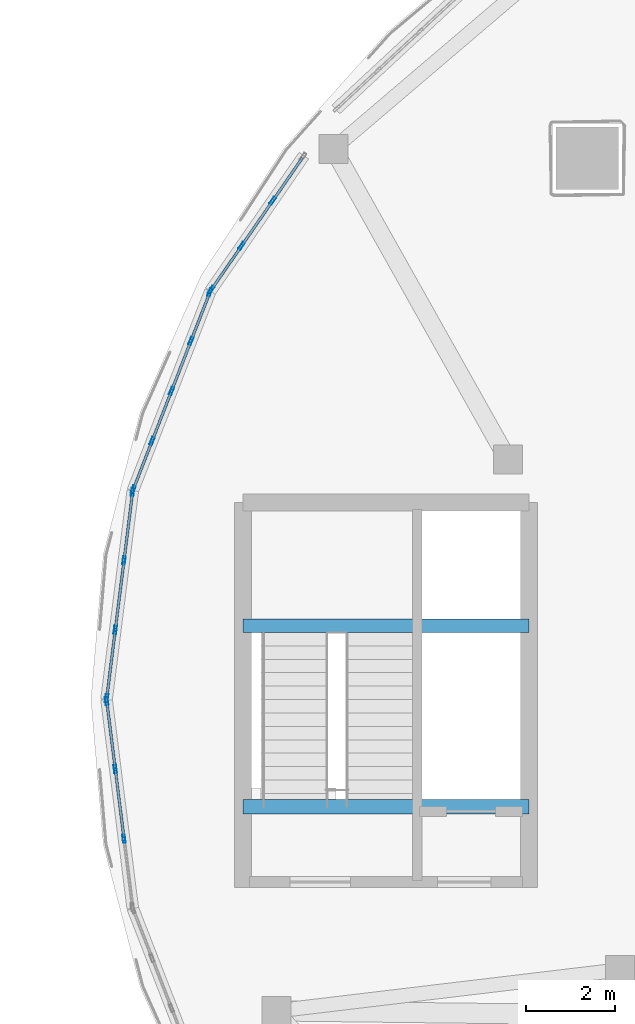
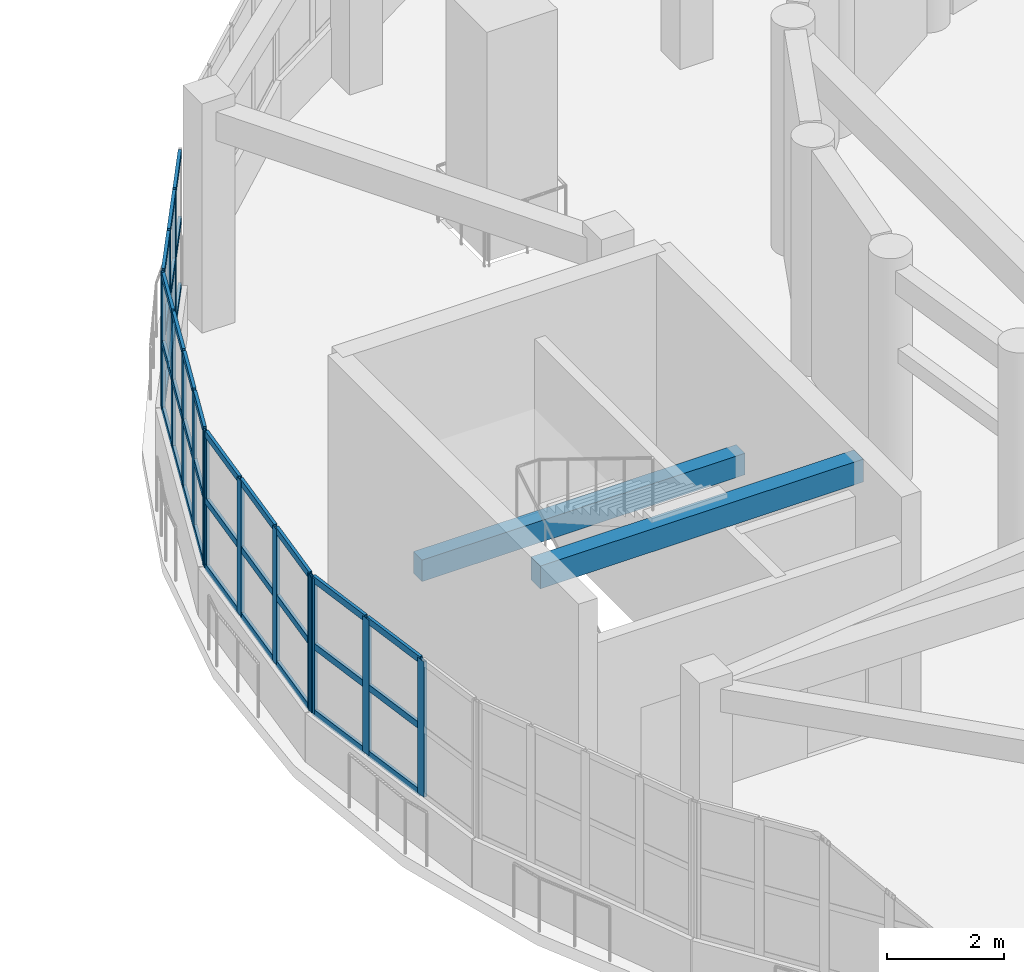
# One storey, part 47 of 105: 51 members, 2 beams, 4 elements without a shape of their own.
"""IFC4 building model written with IfcOpenShell, lengths in metres."""

from ifc_helpers import new_model, si_unit, direction, frame, origin, origin_2d, place, context, subcontext, project, spatial, rectangle, hollow_rectangle, extrude, material, layer, layer_set, material_profile, profile_set, type_object, element, aggregate, save


model = new_model("IFC4")

# Units and contexts
model_context = context("Model", 3, precision=1e-05, world=origin(), true_north=direction((0.0, 1.0)))
body_context = subcontext(model_context, "Body", "Model", "MODEL_VIEW")
ifc_project = project(units=[si_unit("LENGTHUNIT", "METRE"), si_unit("AREAUNIT", "SQUARE_METRE"), si_unit("VOLUMEUNIT", "CUBIC_METRE"), si_unit("PLANEANGLEUNIT", "RADIAN"), si_unit("MASSUNIT", "GRAM", prefix="KILO")], contexts=[model_context])

# Site, building, storey
site_placement = place(None, origin())
site = spatial("IfcSite", under=ifc_project, at=site_placement, CompositionType="ELEMENT")
building_placement = place(site_placement, origin())
building = spatial("IfcBuilding", under=site, at=building_placement, Name="Pelvatis Terrace Science Centre", CompositionType="ELEMENT")
storey_placement = place(building_placement, frame((0.0, 0.0, 10.199951171875)))
storey = spatial("IfcBuildingStorey", under=building, at=storey_placement, Name="L02", CompositionType="ELEMENT", Elevation=10.199951171875)

# Beams
ifc_material_1 = material(Name="Concrete C35/45", Category="concrete")
ifc_material_profile_1 = material_profile(ifc_material_1, rectangle(XDim=0.300048828125, YDim=0.449951171875, at=origin_2d()), Name="RC-BM 300x450")
ifc_profile_set_1 = profile_set([ifc_material_profile_1], Name="Concrete C35/45")
beam_type_1 = type_object("IfcBeamType", Name="BM-RC-300x450", PredefinedType="BEAM", material=ifc_profile_set_1)
beam_1_placement = place(storey_placement, frame((86.800048828125, 85.050048828125, 1.97509765625), z_axis=(1.0, 0.0, 0.0), x_axis=(0.0, 1.0, 0.0)))
element("IfcBeam", 1, at=beam_1_placement, inside=storey, type_object=beam_type_1, Name="Core C1 half-landing beam (L02)", PredefinedType="BEAM", context=body_context, shape_type="SweptSolid", body=[
    extrude(rectangle(XDim=0.300048828125, YDim=0.449951171875, at=origin_2d()), origin(), (0.0, 0.0, 1.0), 6.39990234375),
])
ifc_material_2 = material(Name="Concrete C35/45", Category="concrete")
ifc_material_profile_2 = material_profile(ifc_material_2, rectangle(XDim=0.320068359375, YDim=0.47998046875, at=origin_2d()), Name="RC-BM 320x480")
ifc_profile_set_2 = profile_set([ifc_material_profile_2], Name="Concrete C35/45")
beam_type_2 = type_object("IfcBeamType", Name="BM-RC-320x480", PredefinedType="BEAM", material=ifc_profile_set_2)
beam_2_placement = place(storey_placement, frame((86.800048828125, 81.0, 4.300048828125), z_axis=(1.0, 0.0, 0.0), x_axis=(0.0, 1.0, 0.0)))
element("IfcBeam", 2, at=beam_2_placement, inside=storey, type_object=beam_type_2, Name="Core C1 stair header beam (L02)", PredefinedType="BEAM", context=body_context, shape_type="SweptSolid", body=[
    extrude(rectangle(XDim=0.320068359375, YDim=0.47998046875, at=origin_2d()), origin(), (0.0, 0.0, 1.0), 6.39990234375),
])

# Curtain wall, members
ifc_material_3 = material(Name="Bronze-anodised aluminium and laminated glass", Category="aluminium")
ifc_layer = layer(ifc_material_3, 0.179931640625)
ifc_layer_set = layer_set([ifc_layer], Name="Bronze-anodised aluminium and laminated glass")
curtain_wall_type = type_object("IfcCurtainWallType", Name="CW-RIBBON-A", PredefinedType="NOTDEFINED", material=ifc_layer_set)
curtain_wall_1_placement = place(storey_placement, origin())
curtain_wall_1 = element("IfcCurtainWall", 3, at=curtain_wall_1_placement, inside=storey, type_object=curtain_wall_type, Name="Ribbon curtain wall CW-166 (L02)", PredefinedType="NOTDEFINED")
ifc_material_4 = material(Name="Bronze-anodised aluminium 6063-T6", Category="aluminium")
ifc_material_profile_3 = material_profile(ifc_material_4, hollow_rectangle(XDim=0.06005859375, YDim=0.179931640625, WallThickness=0.00390625, at=origin_2d()), Name="ALU-MUL 60x180")
ifc_profile_set_3 = profile_set([ifc_material_profile_3], Name="Bronze-anodised aluminium 6063-T6")
member_type_1 = type_object("IfcMemberType", Name="CWM-60x180", PredefinedType="MULLION", material=ifc_profile_set_3)
member_1_placement = place(storey_placement, frame((87.46484375, 94.549560546875, 1.02001953125), z_axis=(0.0, 0.0, 1.0), x_axis=(0.822890243448, -0.568200358358, 0.0)))
member_1 = element("IfcMember", 4, at=member_1_placement, type_object=member_type_1, Name="CW-166 mullion 2", PredefinedType="MULLION", context=body_context, shape_type="SweptSolid", body=[
    extrude(hollow_rectangle(XDim=0.06005859375, YDim=0.179931640625, WallThickness=0.00390625, at=origin_2d()), origin(), (0.0, 0.0, 1.0), 2.840087890625),
])
member_2_placement = place(storey_placement, frame((86.76806640625, 93.540283203125, 1.02001953125), z_axis=(0.0, 0.0, 1.0), x_axis=(0.822890243448, -0.568200358358, 0.0)))
member_2 = element("IfcMember", 5, at=member_2_placement, type_object=member_type_1, Name="CW-166 mullion 3", PredefinedType="MULLION", context=body_context, shape_type="SweptSolid", body=[
    extrude(hollow_rectangle(XDim=0.06005859375, YDim=0.179931640625, WallThickness=0.00390625, at=origin_2d()), origin(), (0.0, 0.0, 1.0), 2.840087890625),
])
member_3_placement = place(storey_placement, frame((86.08837890625, 92.555908203125, 1.02001953125), z_axis=(0.0, 0.0, 1.0), x_axis=(0.822890243448, -0.568200358358, 0.0)))
member_3 = element("IfcMember", 6, at=member_3_placement, type_object=member_type_1, Name="CW-166 mullion 4", PredefinedType="MULLION", context=body_context, shape_type="SweptSolid", body=[
    extrude(hollow_rectangle(XDim=0.06005859375, YDim=0.179931640625, WallThickness=0.00390625, at=origin_2d()), origin(), (0.0, 0.0, 1.0), 2.840087890625),
])

curtain_wall_2_placement = place(storey_placement, origin())
curtain_wall_2 = element("IfcCurtainWall", 7, at=curtain_wall_2_placement, inside=storey, type_object=curtain_wall_type, Name="Ribbon curtain wall CW-167 (L02)", PredefinedType="NOTDEFINED")
member_4_placement = place(storey_placement, frame((86.060546875, 92.503173828125, 1.02001953125), z_axis=(0.0, 0.0, 1.0), x_axis=(0.932092427313, -0.362220522536, 0.0)))
member_4 = element("IfcMember", 8, at=member_4_placement, type_object=member_type_1, Name="CW-167 mullion 1", PredefinedType="MULLION", context=body_context, shape_type="SweptSolid", body=[
    extrude(hollow_rectangle(XDim=0.06005859375, YDim=0.179931640625, WallThickness=0.00390625, at=origin_2d()), origin(), (0.0, 0.0, 1.0), 2.840087890625),
])
member_5_placement = place(storey_placement, frame((85.6376953125, 91.415283203125, 1.02001953125), z_axis=(0.0, 0.0, 1.0), x_axis=(0.932092427313, -0.362220522536, 0.0)))
member_5 = element("IfcMember", 9, at=member_5_placement, type_object=member_type_1, Name="CW-167 mullion 2", PredefinedType="MULLION", context=body_context, shape_type="SweptSolid", body=[
    extrude(hollow_rectangle(XDim=0.06005859375, YDim=0.179931640625, WallThickness=0.00390625, at=origin_2d()), origin(), (0.0, 0.0, 1.0), 2.840087890625),
])
member_6_placement = place(storey_placement, frame((85.2041015625, 90.29931640625, 1.02001953125), z_axis=(0.0, 0.0, 1.0), x_axis=(0.932092427313, -0.362220522536, 0.0)))
member_6 = element("IfcMember", 10, at=member_6_placement, type_object=member_type_1, Name="CW-167 mullion 3", PredefinedType="MULLION", context=body_context, shape_type="SweptSolid", body=[
    extrude(hollow_rectangle(XDim=0.06005859375, YDim=0.179931640625, WallThickness=0.00390625, at=origin_2d()), origin(), (0.0, 0.0, 1.0), 2.840087890625),
])
member_7_placement = place(storey_placement, frame((84.770263671875, 89.18359375, 1.02001953125), z_axis=(0.0, 0.0, 1.0), x_axis=(0.932092427313, -0.362220522536, 0.0)))
member_7 = element("IfcMember", 11, at=member_7_placement, type_object=member_type_1, Name="CW-167 mullion 4", PredefinedType="MULLION", context=body_context, shape_type="SweptSolid", body=[
    extrude(hollow_rectangle(XDim=0.06005859375, YDim=0.179931640625, WallThickness=0.00390625, at=origin_2d()), origin(), (0.0, 0.0, 1.0), 2.840087890625),
])
member_8_placement = place(storey_placement, frame((84.34765625, 88.095458984375, 1.02001953125), z_axis=(0.0, 0.0, 1.0), x_axis=(0.932092427313, -0.362220522536, 0.0)))
member_8 = element("IfcMember", 12, at=member_8_placement, type_object=member_type_1, Name="CW-167 mullion 5", PredefinedType="MULLION", context=body_context, shape_type="SweptSolid", body=[
    extrude(hollow_rectangle(XDim=0.06005859375, YDim=0.179931640625, WallThickness=0.00390625, at=origin_2d()), origin(), (0.0, 0.0, 1.0), 2.840087890625),
])

curtain_wall_3_placement = place(storey_placement, origin())
curtain_wall_3 = element("IfcCurtainWall", 13, at=curtain_wall_3_placement, inside=storey, type_object=curtain_wall_type, Name="Ribbon curtain wall CW-168 (L02)", PredefinedType="NOTDEFINED")
member_9_placement = place(storey_placement, frame((84.3330078125, 88.037841796875, 1.02001953125), z_axis=(0.0, 0.0, 1.0), x_axis=(0.992192615485, -0.124714930048, 0.0)))
member_9 = element("IfcMember", 14, at=member_9_placement, type_object=member_type_1, Name="CW-168 mullion 1", PredefinedType="MULLION", context=body_context, shape_type="SweptSolid", body=[
    extrude(hollow_rectangle(XDim=0.06005859375, YDim=0.179931640625, WallThickness=0.00390625, at=origin_2d()), origin(), (0.0, 0.0, 1.0), 2.840087890625),
])
member_10_placement = place(storey_placement, frame((84.14111328125, 86.51171875, 1.02001953125), z_axis=(0.0, 0.0, 1.0), x_axis=(0.992192615485, -0.124714930048, 0.0)))
member_10 = element("IfcMember", 15, at=member_10_placement, type_object=member_type_1, Name="CW-168 mullion 2", PredefinedType="MULLION", context=body_context, shape_type="SweptSolid", body=[
    extrude(hollow_rectangle(XDim=0.06005859375, YDim=0.179931640625, WallThickness=0.00390625, at=origin_2d()), origin(), (0.0, 0.0, 1.0), 2.840087890625),
])
member_11_placement = place(storey_placement, frame((83.945556640625, 84.955810546875, 1.02001953125), z_axis=(0.0, 0.0, 1.0), x_axis=(0.992192615485, -0.124714930048, 0.0)))
member_11 = element("IfcMember", 16, at=member_11_placement, type_object=member_type_1, Name="CW-168 mullion 3", PredefinedType="MULLION", context=body_context, shape_type="SweptSolid", body=[
    extrude(hollow_rectangle(XDim=0.06005859375, YDim=0.179931640625, WallThickness=0.00390625, at=origin_2d()), origin(), (0.0, 0.0, 1.0), 2.840087890625),
])
member_12_placement = place(storey_placement, frame((83.753662109375, 83.4296875, 1.02001953125), z_axis=(0.0, 0.0, 1.0), x_axis=(0.992192615485, -0.124714930048, 0.0)))
member_12 = element("IfcMember", 17, at=member_12_placement, type_object=member_type_1, Name="CW-168 mullion 4", PredefinedType="MULLION", context=body_context, shape_type="SweptSolid", body=[
    extrude(hollow_rectangle(XDim=0.06005859375, YDim=0.179931640625, WallThickness=0.00390625, at=origin_2d()), origin(), (0.0, 0.0, 1.0), 2.840087890625),
])

curtain_wall_4_placement = place(storey_placement, origin())
curtain_wall_4 = element("IfcCurtainWall", 18, at=curtain_wall_4_placement, inside=storey, type_object=curtain_wall_type, Name="Ribbon curtain wall CW-169 (L02)", PredefinedType="NOTDEFINED")
member_13_placement = place(storey_placement, frame((83.753662109375, 83.3701171875, 1.02001953125), z_axis=(0.0, 0.0, 1.0), x_axis=(0.992192615485, 0.124714930048, 0.0)))
member_13 = element("IfcMember", 19, at=member_13_placement, type_object=member_type_1, Name="CW-169 mullion 1", PredefinedType="MULLION", context=body_context, shape_type="SweptSolid", body=[
    extrude(hollow_rectangle(XDim=0.06005859375, YDim=0.179931640625, WallThickness=0.00390625, at=origin_2d()), origin(), (0.0, 0.0, 1.0), 2.840087890625),
])
member_14_placement = place(storey_placement, frame((83.945556640625, 81.84423828125, 1.02001953125), z_axis=(0.0, 0.0, 1.0), x_axis=(0.992192615485, 0.124714930048, 0.0)))
member_14 = element("IfcMember", 20, at=member_14_placement, type_object=member_type_1, Name="CW-169 mullion 2", PredefinedType="MULLION", context=body_context, shape_type="SweptSolid", body=[
    extrude(hollow_rectangle(XDim=0.06005859375, YDim=0.179931640625, WallThickness=0.00390625, at=origin_2d()), origin(), (0.0, 0.0, 1.0), 2.840087890625),
])
member_15_placement = place(storey_placement, frame((84.14111328125, 80.288330078125, 1.02001953125), z_axis=(0.0, 0.0, 1.0), x_axis=(0.992192615485, 0.124714930048, 0.0)))
member_15 = element("IfcMember", 21, at=member_15_placement, type_object=member_type_1, Name="CW-169 mullion 3", PredefinedType="MULLION", context=body_context, shape_type="SweptSolid", body=[
    extrude(hollow_rectangle(XDim=0.06005859375, YDim=0.179931640625, WallThickness=0.00390625, at=origin_2d()), origin(), (0.0, 0.0, 1.0), 2.840087890625),
])

# Member
ifc_material_5 = material(Name="Bronze-anodised aluminium 6063-T6", Category="aluminium")
ifc_material_profile_4 = material_profile(ifc_material_5, hollow_rectangle(XDim=0.06005859375, YDim=0.139892578125, WallThickness=0.00390625, at=origin_2d()), Name="ALU-TRN 60x140")
ifc_profile_set_4 = profile_set([ifc_material_profile_4], Name="Bronze-anodised aluminium 6063-T6")
member_type_2 = type_object("IfcMemberType", Name="CWT-60x140", PredefinedType="USERDEFINED", material=ifc_profile_set_4)
member_16_placement = place(storey_placement, frame((88.127685546875, 95.50927734375, 1.050048828125), z_axis=(-0.56825999269, -0.822849063139, 0.0), x_axis=(0.822849063139, -0.56825999269, 0.0)))
member_16 = element("IfcMember", 22, at=member_16_placement, type_object=member_type_2, Name="CW-166 transom 1.1", ObjectType="TRANSOM", PredefinedType="USERDEFINED", context=body_context, shape_type="SweptSolid", body=[
    extrude(hollow_rectangle(XDim=0.06005859375, YDim=0.139892578125, WallThickness=0.00390625, at=origin_2d()), origin(), (0.0, 0.0, 1.0), 1.136474609375),
])

member_17_placement = place(storey_placement, frame((88.127685546875, 95.50927734375, 2.43994140625), z_axis=(-0.56825999269, -0.822849063139, 0.0), x_axis=(0.822849063139, -0.56825999269, 0.0)))
member_17 = element("IfcMember", 23, at=member_17_placement, type_object=member_type_2, Name="CW-166 transom 1.2", ObjectType="TRANSOM", PredefinedType="USERDEFINED", context=body_context, shape_type="SweptSolid", body=[
    extrude(hollow_rectangle(XDim=0.06005859375, YDim=0.139892578125, WallThickness=0.00390625, at=origin_2d()), origin(), (0.0, 0.0, 1.0), 1.136474609375),
])

member_18_placement = place(storey_placement, frame((88.127685546875, 95.50927734375, 3.830078125), z_axis=(-0.56825999269, -0.822849063139, 0.0), x_axis=(0.822849063139, -0.56825999269, 0.0)))
member_18 = element("IfcMember", 24, at=member_18_placement, type_object=member_type_2, Name="CW-166 transom 1.3", ObjectType="TRANSOM", PredefinedType="USERDEFINED", context=body_context, shape_type="SweptSolid", body=[
    extrude(hollow_rectangle(XDim=0.06005859375, YDim=0.139892578125, WallThickness=0.00390625, at=origin_2d()), origin(), (0.0, 0.0, 1.0), 1.136474609375),
])

member_19_placement = place(storey_placement, frame((87.44775390625, 94.524658203125, 1.050048828125), z_axis=(-0.568153589479, -0.822922535092, 0.0), x_axis=(0.822922535092, -0.568153589479, 0.0)))
member_19 = element("IfcMember", 25, at=member_19_placement, type_object=member_type_2, Name="CW-166 transom 2.1", ObjectType="TRANSOM", PredefinedType="USERDEFINED", context=body_context, shape_type="SweptSolid", body=[
    extrude(hollow_rectangle(XDim=0.06005859375, YDim=0.139892578125, WallThickness=0.00390625, at=origin_2d()), origin(), (0.0, 0.0, 1.0), 1.166259765625),
])

member_20_placement = place(storey_placement, frame((87.44775390625, 94.524658203125, 2.43994140625), z_axis=(-0.568153589479, -0.822922535092, 0.0), x_axis=(0.822922535092, -0.568153589479, 0.0)))
member_20 = element("IfcMember", 26, at=member_20_placement, type_object=member_type_2, Name="CW-166 transom 2.2", ObjectType="TRANSOM", PredefinedType="USERDEFINED", context=body_context, shape_type="SweptSolid", body=[
    extrude(hollow_rectangle(XDim=0.06005859375, YDim=0.139892578125, WallThickness=0.00390625, at=origin_2d()), origin(), (0.0, 0.0, 1.0), 1.166259765625),
])

member_21_placement = place(storey_placement, frame((87.44775390625, 94.524658203125, 3.830078125), z_axis=(-0.568153589479, -0.822922535092, 0.0), x_axis=(0.822922535092, -0.568153589479, 0.0)))
member_21 = element("IfcMember", 27, at=member_21_placement, type_object=member_type_2, Name="CW-166 transom 2.3", ObjectType="TRANSOM", PredefinedType="USERDEFINED", context=body_context, shape_type="SweptSolid", body=[
    extrude(hollow_rectangle(XDim=0.06005859375, YDim=0.139892578125, WallThickness=0.00390625, at=origin_2d()), origin(), (0.0, 0.0, 1.0), 1.166259765625),
])

member_22_placement = place(storey_placement, frame((86.7509765625, 93.515625, 1.050048828125), z_axis=(-0.568114499959, -0.822949521499, 0.0), x_axis=(0.822949521499, -0.568114499959, 0.0)))
member_22 = element("IfcMember", 28, at=member_22_placement, type_object=member_type_2, Name="CW-166 transom 3.1", ObjectType="TRANSOM", PredefinedType="USERDEFINED", context=body_context, shape_type="SweptSolid", body=[
    extrude(hollow_rectangle(XDim=0.06005859375, YDim=0.139892578125, WallThickness=0.00390625, at=origin_2d()), origin(), (0.0, 0.0, 1.0), 1.13623046875),
])

member_23_placement = place(storey_placement, frame((86.7509765625, 93.515625, 2.43994140625), z_axis=(-0.568114499959, -0.822949521499, 0.0), x_axis=(0.822949521499, -0.568114499959, 0.0)))
member_23 = element("IfcMember", 29, at=member_23_placement, type_object=member_type_2, Name="CW-166 transom 3.2", ObjectType="TRANSOM", PredefinedType="USERDEFINED", context=body_context, shape_type="SweptSolid", body=[
    extrude(hollow_rectangle(XDim=0.06005859375, YDim=0.139892578125, WallThickness=0.00390625, at=origin_2d()), origin(), (0.0, 0.0, 1.0), 1.13623046875),
])

member_24_placement = place(storey_placement, frame((86.7509765625, 93.515625, 3.830078125), z_axis=(-0.568114499959, -0.822949521499, 0.0), x_axis=(0.822949521499, -0.568114499959, 0.0)))
member_24 = element("IfcMember", 30, at=member_24_placement, type_object=member_type_2, Name="CW-166 transom 3.3", ObjectType="TRANSOM", PredefinedType="USERDEFINED", context=body_context, shape_type="SweptSolid", body=[
    extrude(hollow_rectangle(XDim=0.06005859375, YDim=0.139892578125, WallThickness=0.00390625, at=origin_2d()), origin(), (0.0, 0.0, 1.0), 1.13623046875),
])

aggregate(curtain_wall_1, [member_1, member_2, member_3, member_16, member_17, member_18, member_19, member_20, member_21, member_22, member_23, member_24])

member_25_placement = place(storey_placement, frame((86.049560546875, 92.475341796875, 1.050048828125), z_axis=(-0.362286642314, -0.9320667298, 0.0), x_axis=(0.9320667298, -0.362286642314, 0.0)))
member_25 = element("IfcMember", 31, at=member_25_placement, type_object=member_type_2, Name="CW-167 transom 1.1", ObjectType="TRANSOM", PredefinedType="USERDEFINED", context=body_context, shape_type="SweptSolid", body=[
    extrude(hollow_rectangle(XDim=0.06005859375, YDim=0.139892578125, WallThickness=0.00390625, at=origin_2d()), origin(), (0.0, 0.0, 1.0), 1.107177734375),
])

member_26_placement = place(storey_placement, frame((86.049560546875, 92.475341796875, 2.43994140625), z_axis=(-0.362286642314, -0.9320667298, 0.0), x_axis=(0.9320667298, -0.362286642314, 0.0)))
member_26 = element("IfcMember", 32, at=member_26_placement, type_object=member_type_2, Name="CW-167 transom 1.2", ObjectType="TRANSOM", PredefinedType="USERDEFINED", context=body_context, shape_type="SweptSolid", body=[
    extrude(hollow_rectangle(XDim=0.06005859375, YDim=0.139892578125, WallThickness=0.00390625, at=origin_2d()), origin(), (0.0, 0.0, 1.0), 1.107177734375),
])

member_27_placement = place(storey_placement, frame((86.049560546875, 92.475341796875, 3.830078125), z_axis=(-0.362286642314, -0.9320667298, 0.0), x_axis=(0.9320667298, -0.362286642314, 0.0)))
member_27 = element("IfcMember", 33, at=member_27_placement, type_object=member_type_2, Name="CW-167 transom 1.3", ObjectType="TRANSOM", PredefinedType="USERDEFINED", context=body_context, shape_type="SweptSolid", body=[
    extrude(hollow_rectangle(XDim=0.06005859375, YDim=0.139892578125, WallThickness=0.00390625, at=origin_2d()), origin(), (0.0, 0.0, 1.0), 1.107177734375),
])

member_28_placement = place(storey_placement, frame((85.626708984375, 91.387451171875, 1.050048828125), z_axis=(-0.362156173801, -0.932117431324, 0.0), x_axis=(0.932117431324, -0.362156173801, 0.0)))
member_28 = element("IfcMember", 34, at=member_28_placement, type_object=member_type_2, Name="CW-167 transom 2.1", ObjectType="TRANSOM", PredefinedType="USERDEFINED", context=body_context, shape_type="SweptSolid", body=[
    extrude(hollow_rectangle(XDim=0.06005859375, YDim=0.139892578125, WallThickness=0.00390625, at=origin_2d()), origin(), (0.0, 0.0, 1.0), 1.13720703125),
])

member_29_placement = place(storey_placement, frame((85.626708984375, 91.387451171875, 2.43994140625), z_axis=(-0.362156173801, -0.932117431324, 0.0), x_axis=(0.932117431324, -0.362156173801, 0.0)))
member_29 = element("IfcMember", 35, at=member_29_placement, type_object=member_type_2, Name="CW-167 transom 2.2", ObjectType="TRANSOM", PredefinedType="USERDEFINED", context=body_context, shape_type="SweptSolid", body=[
    extrude(hollow_rectangle(XDim=0.06005859375, YDim=0.139892578125, WallThickness=0.00390625, at=origin_2d()), origin(), (0.0, 0.0, 1.0), 1.13720703125),
])

member_30_placement = place(storey_placement, frame((85.626708984375, 91.387451171875, 3.830078125), z_axis=(-0.362156173801, -0.932117431324, 0.0), x_axis=(0.932117431324, -0.362156173801, 0.0)))
member_30 = element("IfcMember", 36, at=member_30_placement, type_object=member_type_2, Name="CW-167 transom 2.3", ObjectType="TRANSOM", PredefinedType="USERDEFINED", context=body_context, shape_type="SweptSolid", body=[
    extrude(hollow_rectangle(XDim=0.06005859375, YDim=0.139892578125, WallThickness=0.00390625, at=origin_2d()), origin(), (0.0, 0.0, 1.0), 1.13720703125),
])

member_31_placement = place(storey_placement, frame((85.193115234375, 90.271484375, 1.050048828125), z_axis=(-0.362156173801, -0.932117431324, 0.0), x_axis=(0.932117431324, -0.362156173801, 0.0)))
member_31 = element("IfcMember", 37, at=member_31_placement, type_object=member_type_2, Name="CW-167 transom 3.1", ObjectType="TRANSOM", PredefinedType="USERDEFINED", context=body_context, shape_type="SweptSolid", body=[
    extrude(hollow_rectangle(XDim=0.06005859375, YDim=0.139892578125, WallThickness=0.00390625, at=origin_2d()), origin(), (0.0, 0.0, 1.0), 1.13720703125),
])

member_32_placement = place(storey_placement, frame((85.193115234375, 90.271484375, 2.43994140625), z_axis=(-0.362156173801, -0.932117431324, 0.0), x_axis=(0.932117431324, -0.362156173801, 0.0)))
member_32 = element("IfcMember", 38, at=member_32_placement, type_object=member_type_2, Name="CW-167 transom 3.2", ObjectType="TRANSOM", PredefinedType="USERDEFINED", context=body_context, shape_type="SweptSolid", body=[
    extrude(hollow_rectangle(XDim=0.06005859375, YDim=0.139892578125, WallThickness=0.00390625, at=origin_2d()), origin(), (0.0, 0.0, 1.0), 1.13720703125),
])

member_33_placement = place(storey_placement, frame((85.193115234375, 90.271484375, 3.830078125), z_axis=(-0.362156173801, -0.932117431324, 0.0), x_axis=(0.932117431324, -0.362156173801, 0.0)))
member_33 = element("IfcMember", 39, at=member_33_placement, type_object=member_type_2, Name="CW-167 transom 3.3", ObjectType="TRANSOM", PredefinedType="USERDEFINED", context=body_context, shape_type="SweptSolid", body=[
    extrude(hollow_rectangle(XDim=0.06005859375, YDim=0.139892578125, WallThickness=0.00390625, at=origin_2d()), origin(), (0.0, 0.0, 1.0), 1.13720703125),
])

member_34_placement = place(storey_placement, frame((84.759521484375, 89.155517578125, 1.050048828125), z_axis=(-0.362286642314, -0.9320667298, 0.0), x_axis=(0.9320667298, -0.362286642314, 0.0)))
member_34 = element("IfcMember", 40, at=member_34_placement, type_object=member_type_2, Name="CW-167 transom 4.1", ObjectType="TRANSOM", PredefinedType="USERDEFINED", context=body_context, shape_type="SweptSolid", body=[
    extrude(hollow_rectangle(XDim=0.06005859375, YDim=0.139892578125, WallThickness=0.00390625, at=origin_2d()), origin(), (0.0, 0.0, 1.0), 1.107177734375),
])

member_35_placement = place(storey_placement, frame((84.759521484375, 89.155517578125, 2.43994140625), z_axis=(-0.362286642314, -0.9320667298, 0.0), x_axis=(0.9320667298, -0.362286642314, 0.0)))
member_35 = element("IfcMember", 41, at=member_35_placement, type_object=member_type_2, Name="CW-167 transom 4.2", ObjectType="TRANSOM", PredefinedType="USERDEFINED", context=body_context, shape_type="SweptSolid", body=[
    extrude(hollow_rectangle(XDim=0.06005859375, YDim=0.139892578125, WallThickness=0.00390625, at=origin_2d()), origin(), (0.0, 0.0, 1.0), 1.107177734375),
])

member_36_placement = place(storey_placement, frame((84.759521484375, 89.155517578125, 3.830078125), z_axis=(-0.362286642314, -0.9320667298, 0.0), x_axis=(0.9320667298, -0.362286642314, 0.0)))
member_36 = element("IfcMember", 42, at=member_36_placement, type_object=member_type_2, Name="CW-167 transom 4.3", ObjectType="TRANSOM", PredefinedType="USERDEFINED", context=body_context, shape_type="SweptSolid", body=[
    extrude(hollow_rectangle(XDim=0.06005859375, YDim=0.139892578125, WallThickness=0.00390625, at=origin_2d()), origin(), (0.0, 0.0, 1.0), 1.107177734375),
])

aggregate(curtain_wall_2, [member_4, member_5, member_6, member_7, member_8, member_25, member_26, member_27, member_28, member_29, member_30, member_31, member_32, member_33, member_34, member_35, member_36])

member_37_placement = place(storey_placement, frame((84.3291015625, 88.008056640625, 1.050048828125), z_axis=(-0.124705562452, -0.992193792912, 0.0), x_axis=(0.992193792912, -0.124705562452, 0.0)))
member_37 = element("IfcMember", 43, at=member_37_placement, type_object=member_type_2, Name="CW-168 transom 1.1", ObjectType="TRANSOM", PredefinedType="USERDEFINED", context=body_context, shape_type="SweptSolid", body=[
    extrude(hollow_rectangle(XDim=0.06005859375, YDim=0.139892578125, WallThickness=0.00390625, at=origin_2d()), origin(), (0.0, 0.0, 1.0), 1.47802734375),
])

member_38_placement = place(storey_placement, frame((84.3291015625, 88.008056640625, 2.43994140625), z_axis=(-0.124705562452, -0.992193792912, 0.0), x_axis=(0.992193792912, -0.124705562452, 0.0)))
member_38 = element("IfcMember", 44, at=member_38_placement, type_object=member_type_2, Name="CW-168 transom 1.2", ObjectType="TRANSOM", PredefinedType="USERDEFINED", context=body_context, shape_type="SweptSolid", body=[
    extrude(hollow_rectangle(XDim=0.06005859375, YDim=0.139892578125, WallThickness=0.00390625, at=origin_2d()), origin(), (0.0, 0.0, 1.0), 1.47802734375),
])

member_39_placement = place(storey_placement, frame((84.3291015625, 88.008056640625, 3.830078125), z_axis=(-0.124705562452, -0.992193792912, 0.0), x_axis=(0.992193792912, -0.124705562452, 0.0)))
member_39 = element("IfcMember", 45, at=member_39_placement, type_object=member_type_2, Name="CW-168 transom 1.3", ObjectType="TRANSOM", PredefinedType="USERDEFINED", context=body_context, shape_type="SweptSolid", body=[
    extrude(hollow_rectangle(XDim=0.06005859375, YDim=0.139892578125, WallThickness=0.00390625, at=origin_2d()), origin(), (0.0, 0.0, 1.0), 1.47802734375),
])

member_40_placement = place(storey_placement, frame((84.137451171875, 86.48193359375, 1.050048828125), z_axis=(-0.124811734595, -0.992180442716, 0.0), x_axis=(0.992180442716, -0.124811734595, 0.0)))
member_40 = element("IfcMember", 46, at=member_40_placement, type_object=member_type_2, Name="CW-168 transom 2.1", ObjectType="TRANSOM", PredefinedType="USERDEFINED", context=body_context, shape_type="SweptSolid", body=[
    extrude(hollow_rectangle(XDim=0.06005859375, YDim=0.139892578125, WallThickness=0.00390625, at=origin_2d()), origin(), (0.0, 0.0, 1.0), 1.508056640625),
])

member_41_placement = place(storey_placement, frame((84.137451171875, 86.48193359375, 2.43994140625), z_axis=(-0.124811734595, -0.992180442716, 0.0), x_axis=(0.992180442716, -0.124811734595, 0.0)))
member_41 = element("IfcMember", 47, at=member_41_placement, type_object=member_type_2, Name="CW-168 transom 2.2", ObjectType="TRANSOM", PredefinedType="USERDEFINED", context=body_context, shape_type="SweptSolid", body=[
    extrude(hollow_rectangle(XDim=0.06005859375, YDim=0.139892578125, WallThickness=0.00390625, at=origin_2d()), origin(), (0.0, 0.0, 1.0), 1.508056640625),
])

member_42_placement = place(storey_placement, frame((84.137451171875, 86.48193359375, 3.830078125), z_axis=(-0.124811734595, -0.992180442716, 0.0), x_axis=(0.992180442716, -0.124811734595, 0.0)))
member_42 = element("IfcMember", 48, at=member_42_placement, type_object=member_type_2, Name="CW-168 transom 2.3", ObjectType="TRANSOM", PredefinedType="USERDEFINED", context=body_context, shape_type="SweptSolid", body=[
    extrude(hollow_rectangle(XDim=0.06005859375, YDim=0.139892578125, WallThickness=0.00390625, at=origin_2d()), origin(), (0.0, 0.0, 1.0), 1.508056640625),
])

member_43_placement = place(storey_placement, frame((83.94189453125, 84.926025390625, 1.050048828125), z_axis=(-0.124705562452, -0.992193792912, 0.0), x_axis=(0.992193792912, -0.124705562452, 0.0)))
member_43 = element("IfcMember", 49, at=member_43_placement, type_object=member_type_2, Name="CW-168 transom 3.1", ObjectType="TRANSOM", PredefinedType="USERDEFINED", context=body_context, shape_type="SweptSolid", body=[
    extrude(hollow_rectangle(XDim=0.06005859375, YDim=0.139892578125, WallThickness=0.00390625, at=origin_2d()), origin(), (0.0, 0.0, 1.0), 1.47802734375),
])

member_44_placement = place(storey_placement, frame((83.94189453125, 84.926025390625, 2.43994140625), z_axis=(-0.124705562452, -0.992193792912, 0.0), x_axis=(0.992193792912, -0.124705562452, 0.0)))
member_44 = element("IfcMember", 50, at=member_44_placement, type_object=member_type_2, Name="CW-168 transom 3.2", ObjectType="TRANSOM", PredefinedType="USERDEFINED", context=body_context, shape_type="SweptSolid", body=[
    extrude(hollow_rectangle(XDim=0.06005859375, YDim=0.139892578125, WallThickness=0.00390625, at=origin_2d()), origin(), (0.0, 0.0, 1.0), 1.47802734375),
])

member_45_placement = place(storey_placement, frame((83.94189453125, 84.926025390625, 3.830078125), z_axis=(-0.124705562452, -0.992193792912, 0.0), x_axis=(0.992193792912, -0.124705562452, 0.0)))
member_45 = element("IfcMember", 51, at=member_45_placement, type_object=member_type_2, Name="CW-168 transom 3.3", ObjectType="TRANSOM", PredefinedType="USERDEFINED", context=body_context, shape_type="SweptSolid", body=[
    extrude(hollow_rectangle(XDim=0.06005859375, YDim=0.139892578125, WallThickness=0.00390625, at=origin_2d()), origin(), (0.0, 0.0, 1.0), 1.47802734375),
])

aggregate(curtain_wall_3, [member_9, member_10, member_11, member_12, member_37, member_38, member_39, member_40, member_41, member_42, member_43, member_44, member_45])

member_46_placement = place(storey_placement, frame((83.757568359375, 83.340576171875, 1.050048828125), z_axis=(0.124685128583, -0.992196360964, 0.0), x_axis=(0.992196360964, 0.124685128583, 0.0)))
member_46 = element("IfcMember", 52, at=member_46_placement, type_object=member_type_2, Name="CW-169 transom 1.1", ObjectType="TRANSOM", PredefinedType="USERDEFINED", context=body_context, shape_type="SweptSolid", body=[
    extrude(hollow_rectangle(XDim=0.06005859375, YDim=0.139892578125, WallThickness=0.00390625, at=origin_2d()), origin(), (0.0, 0.0, 1.0), 1.478271484375),
])

member_47_placement = place(storey_placement, frame((83.757568359375, 83.340576171875, 2.43994140625), z_axis=(0.124685128583, -0.992196360964, 0.0), x_axis=(0.992196360964, 0.124685128583, 0.0)))
member_47 = element("IfcMember", 53, at=member_47_placement, type_object=member_type_2, Name="CW-169 transom 1.2", ObjectType="TRANSOM", PredefinedType="USERDEFINED", context=body_context, shape_type="SweptSolid", body=[
    extrude(hollow_rectangle(XDim=0.06005859375, YDim=0.139892578125, WallThickness=0.00390625, at=origin_2d()), origin(), (0.0, 0.0, 1.0), 1.478271484375),
])

member_48_placement = place(storey_placement, frame((83.757568359375, 83.340576171875, 3.830078125), z_axis=(0.124685128583, -0.992196360964, 0.0), x_axis=(0.992196360964, 0.124685128583, 0.0)))
member_48 = element("IfcMember", 54, at=member_48_placement, type_object=member_type_2, Name="CW-169 transom 1.3", ObjectType="TRANSOM", PredefinedType="USERDEFINED", context=body_context, shape_type="SweptSolid", body=[
    extrude(hollow_rectangle(XDim=0.06005859375, YDim=0.139892578125, WallThickness=0.00390625, at=origin_2d()), origin(), (0.0, 0.0, 1.0), 1.478271484375),
])

member_49_placement = place(storey_placement, frame((83.94921875, 81.814453125, 1.050048828125), z_axis=(0.124811734595, -0.992180442716, 0.0), x_axis=(0.992180442716, 0.124811734595, 0.0)))
member_49 = element("IfcMember", 55, at=member_49_placement, type_object=member_type_2, Name="CW-169 transom 2.1", ObjectType="TRANSOM", PredefinedType="USERDEFINED", context=body_context, shape_type="SweptSolid", body=[
    extrude(hollow_rectangle(XDim=0.06005859375, YDim=0.139892578125, WallThickness=0.00390625, at=origin_2d()), origin(), (0.0, 0.0, 1.0), 1.508056640625),
])

member_50_placement = place(storey_placement, frame((83.94921875, 81.814453125, 2.43994140625), z_axis=(0.124811734595, -0.992180442716, 0.0), x_axis=(0.992180442716, 0.124811734595, 0.0)))
member_50 = element("IfcMember", 56, at=member_50_placement, type_object=member_type_2, Name="CW-169 transom 2.2", ObjectType="TRANSOM", PredefinedType="USERDEFINED", context=body_context, shape_type="SweptSolid", body=[
    extrude(hollow_rectangle(XDim=0.06005859375, YDim=0.139892578125, WallThickness=0.00390625, at=origin_2d()), origin(), (0.0, 0.0, 1.0), 1.508056640625),
])

member_51_placement = place(storey_placement, frame((83.94921875, 81.814453125, 3.830078125), z_axis=(0.124811734595, -0.992180442716, 0.0), x_axis=(0.992180442716, 0.124811734595, 0.0)))
member_51 = element("IfcMember", 57, at=member_51_placement, type_object=member_type_2, Name="CW-169 transom 2.3", ObjectType="TRANSOM", PredefinedType="USERDEFINED", context=body_context, shape_type="SweptSolid", body=[
    extrude(hollow_rectangle(XDim=0.06005859375, YDim=0.139892578125, WallThickness=0.00390625, at=origin_2d()), origin(), (0.0, 0.0, 1.0), 1.508056640625),
])

aggregate(curtain_wall_4, [member_13, member_14, member_15, member_46, member_47, member_48, member_49, member_50, member_51])

save(model, "model.ifc")
